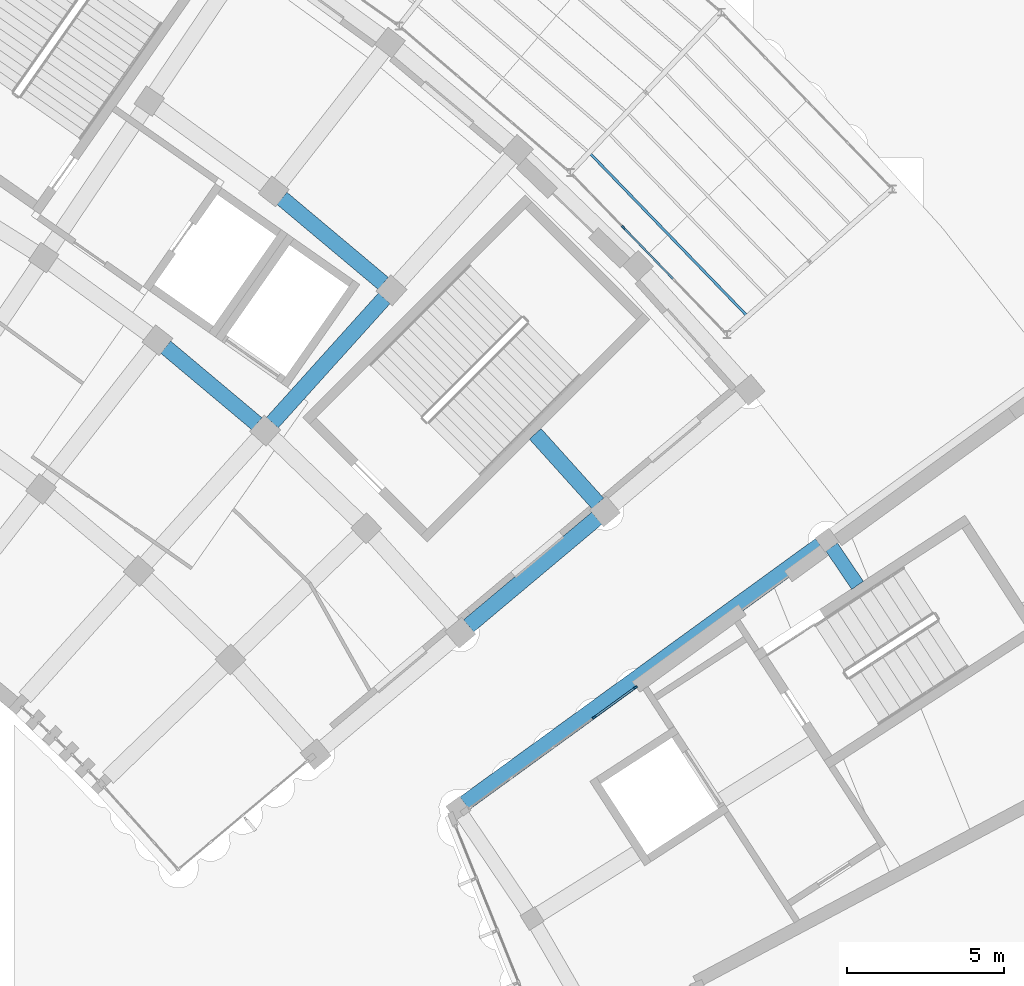
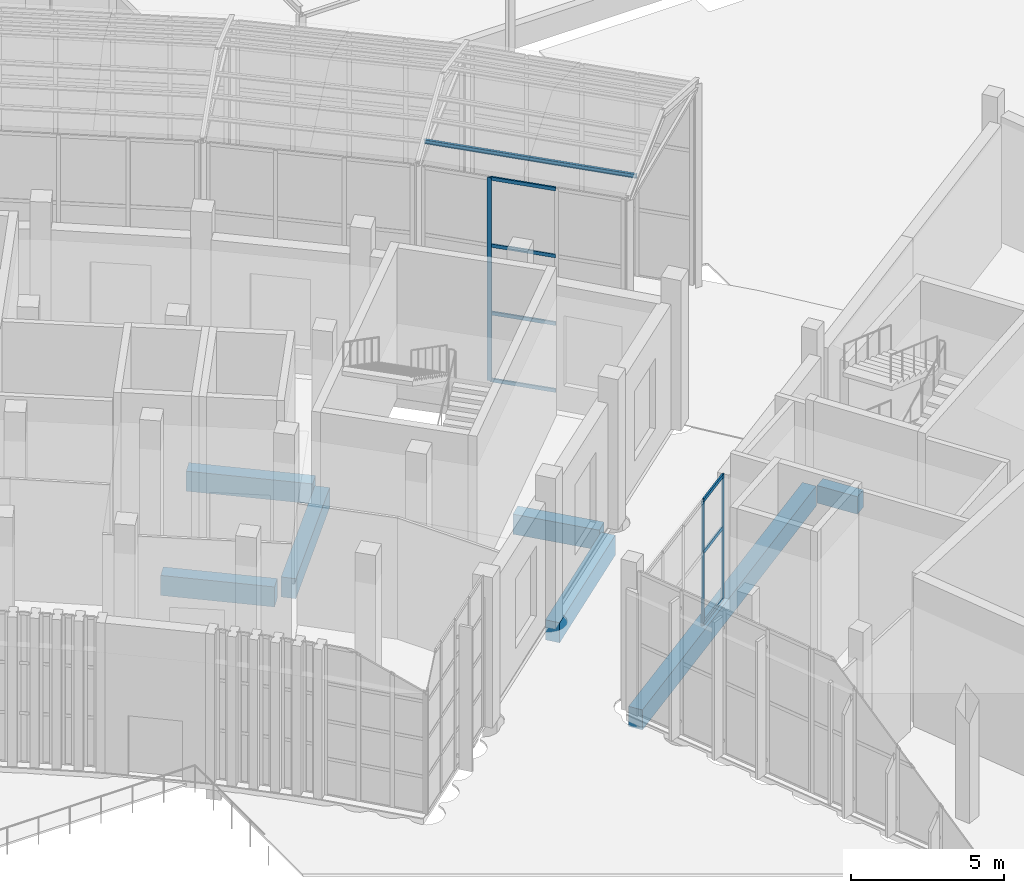
# One storey, part 53 of 155: 11 members, 7 beams, 2 elements without a shape of their own.
"""IFC4 building model written with IfcOpenShell, lengths in metres."""

from ifc_helpers import new_model, si_unit, direction, frame, origin, origin_2d, place, context, subcontext, project, spatial, rectangle, i_section, extrude, material, layer, layer_set, material_profile, profile_set, type_object, element, aggregate, save


model = new_model("IFC4")

# Units and contexts
model_context = context("Model", 3, precision=1e-05, world=origin(), true_north=direction((0.0, 1.0)))
body_context = subcontext(model_context, "Body", "Model", "MODEL_VIEW")
ifc_project = project(units=[si_unit("LENGTHUNIT", "METRE"), si_unit("AREAUNIT", "SQUARE_METRE"), si_unit("VOLUMEUNIT", "CUBIC_METRE"), si_unit("PLANEANGLEUNIT", "RADIAN"), si_unit("MASSUNIT", "GRAM", prefix="KILO")], contexts=[model_context])

# Site, building, storey
site_placement = place(None, origin())
site = spatial("IfcSite", under=ifc_project, at=site_placement, CompositionType="ELEMENT")
building_placement = place(site_placement, origin())
building = spatial("IfcBuilding", under=site, at=building_placement, Name="Lunette Opera House", CompositionType="ELEMENT")
storey_placement = place(building_placement, origin())
storey = spatial("IfcBuildingStorey", under=building, at=storey_placement, Name="L00", CompositionType="ELEMENT", Elevation=0.0)

# Curtain wall, member
ifc_material_1 = material(Name="Aluminium", Category="aluminium")
ifc_layer_1 = layer(ifc_material_1, 0.139892578125)
ifc_layer_set_1 = layer_set([ifc_layer_1], Name="Aluminium")
curtain_wall_type_1 = type_object("IfcCurtainWallType", Name="PASSAGE CURTAIN WALL", PredefinedType="NOTDEFINED", material=ifc_layer_set_1)
curtain_wall_1_placement = place(storey_placement, origin())
curtain_wall_1 = element("IfcCurtainWall", 1, at=curtain_wall_1_placement, inside=storey, type_object=curtain_wall_type_1, Name="Passage Curtain Wall EI6 L00", PredefinedType="NOTDEFINED")
ifc_material_2 = material(Name="Aluminium", Category="aluminium")
ifc_material_profile_1 = material_profile(ifc_material_2, rectangle(XDim=0.06005859375, YDim=0.139892578125, at=origin_2d()), Name="MULLION 60 X 140")
ifc_profile_set_1 = profile_set([ifc_material_profile_1], Name="Aluminium")
member_type_1 = type_object("IfcMemberType", Name="MULLION 60 X 140", PredefinedType="MULLION", material=ifc_profile_set_1)
member_1_placement = place(storey_placement, frame((150.21337890625, 54.00830078125, 0.0), z_axis=(0.0, 0.0, 1.0), x_axis=(0.718888802964, 0.695125088724, 0.0)))
member_1 = element("IfcMember", 2, at=member_1_placement, type_object=member_type_1, Name="PP-X2006 mullion 2", PredefinedType="MULLION", context=body_context, shape_type="SweptSolid", body=[
    extrude(rectangle(XDim=0.06005859375, YDim=0.139892578125, at=origin_2d()), origin(), (0.0, 0.0, 1.0), 8.10009765625),
])

# Curtain wall, members
ifc_material_3 = material(Name="Aluminium", Category="aluminium")
ifc_layer_2 = layer(ifc_material_3, 0.139892578125)
ifc_layer_set_2 = layer_set([ifc_layer_2], Name="Aluminium")
curtain_wall_type_2 = type_object("IfcCurtainWallType", Name="STUDIO CURTAIN WALL", PredefinedType="NOTDEFINED", material=ifc_layer_set_2)
curtain_wall_2_placement = place(storey_placement, origin())
curtain_wall_2 = element("IfcCurtainWall", 3, at=curtain_wall_2_placement, inside=storey, type_object=curtain_wall_type_2, Name="Studio Curtain Wall F18 L00", PredefinedType="NOTDEFINED")
member_2_placement = place(storey_placement, frame((150.582763671875, 39.3974609375, 0.0), z_axis=(0.0, 0.0, 1.0), x_axis=(0.587771589927, -0.809026920488, 0.0)))
member_2 = element("IfcMember", 4, at=member_2_placement, type_object=member_type_1, Name="SB-X2006 mullion 1", PredefinedType="MULLION", context=body_context, shape_type="SweptSolid", body=[
    extrude(rectangle(XDim=0.06005859375, YDim=0.139892578125, at=origin_2d()), origin(), (0.0, 0.0, 1.0), 4.97998046875),
])
member_3_placement = place(storey_placement, frame((149.2841796875, 38.4541015625, 0.0), z_axis=(0.0, 0.0, 1.0), x_axis=(0.587771589927, -0.809026920488, 0.0)))
member_3 = element("IfcMember", 5, at=member_3_placement, type_object=member_type_1, Name="SB-X2006 mullion 2", PredefinedType="MULLION", context=body_context, shape_type="SweptSolid", body=[
    extrude(rectangle(XDim=0.06005859375, YDim=0.139892578125, at=origin_2d()), origin(), (0.0, 0.0, 1.0), 4.97998046875),
])

# Member
ifc_material_4 = material(Name="Steel S355", Category="steel")
ifc_material_profile_2 = material_profile(ifc_material_4, i_section(OverallWidth=0.08203125, OverallDepth=0.159912109375, WebThickness=0.0048828125, FlangeThickness=0.00732421875, FilletRadius=0.009033203125, at=origin_2d()), Name="IPE 160")
ifc_profile_set_2 = profile_set([ifc_material_profile_2], Name="Steel S355")
member_type_2 = type_object("IfcMemberType", Name="PURLIN IPE 160", PredefinedType="PURLIN", material=ifc_profile_set_2)
member_4_placement = place(storey_placement, frame((149.1201171875, 56.39697265625, 8.47509765625), z_axis=(0.69505346883, -0.718958048476, 0.0), x_axis=(0.718958048476, 0.69505346883, 0.0)))
element("IfcMember", 6, at=member_4_placement, inside=storey, type_object=member_type_2, Name="mem-PP-L00-PU10A1", PredefinedType="PURLIN", context=body_context, shape_type="SweptSolid", body=[
    extrude(i_section(OverallWidth=0.08203125, OverallDepth=0.159912109375, WebThickness=0.0048828125, FlangeThickness=0.00732421875, FilletRadius=0.009033203125, at=origin_2d()), origin(), (0.0, 0.0, 1.0), 7.2412109375),
])

# Beams
ifc_material_5 = material(Name="Concrete C35/45", Category="concrete")
ifc_material_profile_3 = material_profile(ifc_material_5, rectangle(XDim=0.449951171875, YDim=0.699951171875, at=origin_2d()), Name="RC BEAM 450X700")
ifc_profile_set_3 = profile_set([ifc_material_profile_3], Name="Concrete C35/45")
beam_type_1 = type_object("IfcBeamType", Name="RC BEAM 450X700", PredefinedType="BEAM", material=ifc_profile_set_3)
beam_1_placement = place(storey_placement, frame((156.823974609375, 43.864013671875, -0.570068359375), z_axis=(0.559555526977, -0.82879286449, 0.0), x_axis=(0.82879286449, 0.559555526977, 0.0)))
element("IfcBeam", 7, at=beam_1_placement, inside=storey, type_object=beam_type_1, Name="beam-SB-L00-L00-RG10", PredefinedType="BEAM", context=body_context, shape_type="SweptSolid", body=[
    extrude(rectangle(XDim=0.449951171875, YDim=0.699951171875, at=origin_2d()), origin(), (0.0, 0.0, 1.0), 1.470703125),
])
ifc_material_6 = material(Name="Concrete C35/45", Category="concrete")
ifc_material_profile_4 = material_profile(ifc_material_6, rectangle(XDim=0.5, YDim=0.800048828125, at=origin_2d()), Name="RC BEAM 500X800")
ifc_profile_set_4 = profile_set([ifc_material_profile_4], Name="Concrete C35/45")
beam_type_2 = type_object("IfcBeamType", Name="RC BEAM 500X800", PredefinedType="BEAM", material=ifc_profile_set_4)
beam_2_placement = place(storey_placement, frame((139.052001953125, 47.81396484375, -0.6201171875), z_axis=(0.66919796217, 0.743084172505, 0.0), x_axis=(-0.743084172505, 0.66919796217, 0.0)))
element("IfcBeam", 8, at=beam_2_placement, inside=storey, type_object=beam_type_2, Name="beam-FC-L00-L00-RB-RL-24-3", PredefinedType="BEAM", context=body_context, shape_type="SweptSolid", body=[
    extrude(rectangle(XDim=0.5, YDim=0.800048828125, at=origin_2d()), origin(), (0.0, 0.0, 1.0), 5.31982421875),
])
beam_3_placement = place(storey_placement, frame((145.287109375, 41.35693359375, -0.6201171875), z_axis=(0.76603920911, 0.642793847285, 0.0), x_axis=(-0.642793847285, 0.76603920911, 0.0)))
element("IfcBeam", 9, at=beam_3_placement, inside=storey, type_object=beam_type_2, Name="beam-FC-L00-L00-RB-RL-26-3", PredefinedType="BEAM", context=body_context, shape_type="SweptSolid", body=[
    extrude(rectangle(XDim=0.5, YDim=0.800048828125, at=origin_2d()), origin(), (0.0, 0.0, 1.0), 5.32080078125),
])
beam_4_placement = place(storey_placement, frame((135.6630859375, 50.214111328125, -0.6201171875), z_axis=(0.76594363351, -0.642907730771, 0.0), x_axis=(0.642907730771, 0.76594363351, 0.0)))
element("IfcBeam", 10, at=beam_4_placement, inside=storey, type_object=beam_type_2, Name="beam-FC-L00-L00-RG-AR-B-RL-23", PredefinedType="BEAM", context=body_context, shape_type="SweptSolid", body=[
    extrude(rectangle(XDim=0.5, YDim=0.800048828125, at=origin_2d()), origin(), (0.0, 0.0, 1.0), 3.7861328125),
])
beam_5_placement = place(storey_placement, frame((139.35693359375, 54.94189453125, -0.6201171875), z_axis=(0.766022755014, -0.642813455678, 0.0), x_axis=(0.642813455678, 0.766022755014, 0.0)))
element("IfcBeam", 11, at=beam_5_placement, inside=storey, type_object=beam_type_2, Name="beam-FC-L00-L00-RG-AR-M2-RL-23", PredefinedType="BEAM", context=body_context, shape_type="SweptSolid", body=[
    extrude(rectangle(XDim=0.5, YDim=0.800048828125, at=origin_2d()), origin(), (0.0, 0.0, 1.0), 4.204833984375),
])
beam_6_placement = place(storey_placement, frame((147.405029296875, 47.458984375, -0.6201171875), z_axis=(0.6689919383, -0.743269659336, 0.0), x_axis=(0.743269659336, 0.6689919383, 0.0)))
element("IfcBeam", 12, at=beam_6_placement, inside=storey, type_object=beam_type_2, Name="beam-FC-L00-L00-RG-AR-M2-RL-25", PredefinedType="BEAM", context=body_context, shape_type="SweptSolid", body=[
    extrude(rectangle(XDim=0.5, YDim=0.800048828125, at=origin_2d()), origin(), (0.0, 0.0, 1.0), 2.974609375),
])
beam_7_placement = place(storey_placement, frame((145.159912109375, 35.717041015625, -0.6201171875), z_axis=(0.809032229307, 0.587764282636, 0.0), x_axis=(-0.587764282636, 0.809032229307, 0.0)))
element("IfcBeam", 13, at=beam_7_placement, inside=storey, type_object=beam_type_2, Name="beam-SB-L00-L00-RB00", PredefinedType="BEAM", context=body_context, shape_type="SweptSolid", body=[
    extrude(rectangle(XDim=0.5, YDim=0.800048828125, at=origin_2d()), origin(), (0.0, 0.0, 1.0), 13.9697265625),
])

# Member
ifc_material_7 = material(Name="Aluminium", Category="aluminium")
ifc_material_profile_5 = material_profile(ifc_material_7, rectangle(XDim=0.06005859375, YDim=0.139892578125, at=origin_2d()), Name="TRANSOM 60 X 140")
ifc_profile_set_5 = profile_set([ifc_material_profile_5], Name="Aluminium")
member_type_3 = type_object("IfcMemberType", Name="TRANSOM 60 X 140", PredefinedType="USERDEFINED", material=ifc_profile_set_5)
member_5_placement = place(storey_placement, frame((150.234130859375, 53.98681640625, 0.030029296875), z_axis=(0.695109010321, -0.718904349529, 0.0), x_axis=(0.718904349529, 0.695109010321, 0.0)))
member_5 = element("IfcMember", 14, at=member_5_placement, type_object=member_type_3, Name="PP-X2006 transom 2.1", ObjectType="TRANSOM", PredefinedType="USERDEFINED", context=body_context, shape_type="SweptSolid", body=[
    extrude(rectangle(XDim=0.06005859375, YDim=0.139892578125, at=origin_2d()), origin(), (0.0, 0.0, 1.0), 2.226318359375),
])

member_6_placement = place(storey_placement, frame((150.234130859375, 53.98681640625, 2.699951171875), z_axis=(0.695109010321, -0.718904349529, 0.0), x_axis=(0.718904349529, 0.695109010321, 0.0)))
member_6 = element("IfcMember", 15, at=member_6_placement, type_object=member_type_3, Name="PP-X2006 transom 2.2", ObjectType="TRANSOM", PredefinedType="USERDEFINED", context=body_context, shape_type="SweptSolid", body=[
    extrude(rectangle(XDim=0.06005859375, YDim=0.139892578125, at=origin_2d()), origin(), (0.0, 0.0, 1.0), 2.226318359375),
])

member_7_placement = place(storey_placement, frame((150.234130859375, 53.98681640625, 5.39990234375), z_axis=(0.695109010321, -0.718904349529, 0.0), x_axis=(0.718904349529, 0.695109010321, 0.0)))
member_7 = element("IfcMember", 16, at=member_7_placement, type_object=member_type_3, Name="PP-X2006 transom 2.3", ObjectType="TRANSOM", PredefinedType="USERDEFINED", context=body_context, shape_type="SweptSolid", body=[
    extrude(rectangle(XDim=0.06005859375, YDim=0.139892578125, at=origin_2d()), origin(), (0.0, 0.0, 1.0), 2.226318359375),
])

member_8_placement = place(storey_placement, frame((150.234130859375, 53.98681640625, 8.070068359375), z_axis=(0.695109010321, -0.718904349529, 0.0), x_axis=(0.718904349529, 0.695109010321, 0.0)))
member_8 = element("IfcMember", 17, at=member_8_placement, type_object=member_type_3, Name="PP-X2006 transom 2.4", ObjectType="TRANSOM", PredefinedType="USERDEFINED", context=body_context, shape_type="SweptSolid", body=[
    extrude(rectangle(XDim=0.06005859375, YDim=0.139892578125, at=origin_2d()), origin(), (0.0, 0.0, 1.0), 2.226318359375),
])

aggregate(curtain_wall_1, [member_1, member_5, member_6, member_7, member_8])

member_9_placement = place(storey_placement, frame((150.558349609375, 39.379638671875, 0.030029296875), z_axis=(-0.809029860719, -0.587767542882, 0.0), x_axis=(0.587767542882, -0.809029860719, 0.0)))
member_9 = element("IfcMember", 18, at=member_9_placement, type_object=member_type_3, Name="SB-X2006 transom 1.1", ObjectType="TRANSOM", PredefinedType="USERDEFINED", context=body_context, shape_type="SweptSolid", body=[
    extrude(rectangle(XDim=0.06005859375, YDim=0.139892578125, at=origin_2d()), origin(), (0.0, 0.0, 1.0), 1.544677734375),
])

member_10_placement = place(storey_placement, frame((150.558349609375, 39.379638671875, 2.889892578125), z_axis=(-0.809029860719, -0.587767542882, 0.0), x_axis=(0.587767542882, -0.809029860719, 0.0)))
member_10 = element("IfcMember", 19, at=member_10_placement, type_object=member_type_3, Name="SB-X2006 transom 1.2", ObjectType="TRANSOM", PredefinedType="USERDEFINED", context=body_context, shape_type="SweptSolid", body=[
    extrude(rectangle(XDim=0.06005859375, YDim=0.139892578125, at=origin_2d()), origin(), (0.0, 0.0, 1.0), 1.544677734375),
])

member_11_placement = place(storey_placement, frame((150.558349609375, 39.379638671875, 4.949951171875), z_axis=(-0.809029860719, -0.587767542882, 0.0), x_axis=(0.587767542882, -0.809029860719, 0.0)))
member_11 = element("IfcMember", 20, at=member_11_placement, type_object=member_type_3, Name="SB-X2006 transom 1.3", ObjectType="TRANSOM", PredefinedType="USERDEFINED", context=body_context, shape_type="SweptSolid", body=[
    extrude(rectangle(XDim=0.06005859375, YDim=0.139892578125, at=origin_2d()), origin(), (0.0, 0.0, 1.0), 1.544677734375),
])

aggregate(curtain_wall_2, [member_2, member_3, member_9, member_10, member_11])

save(model, "model.ifc")
